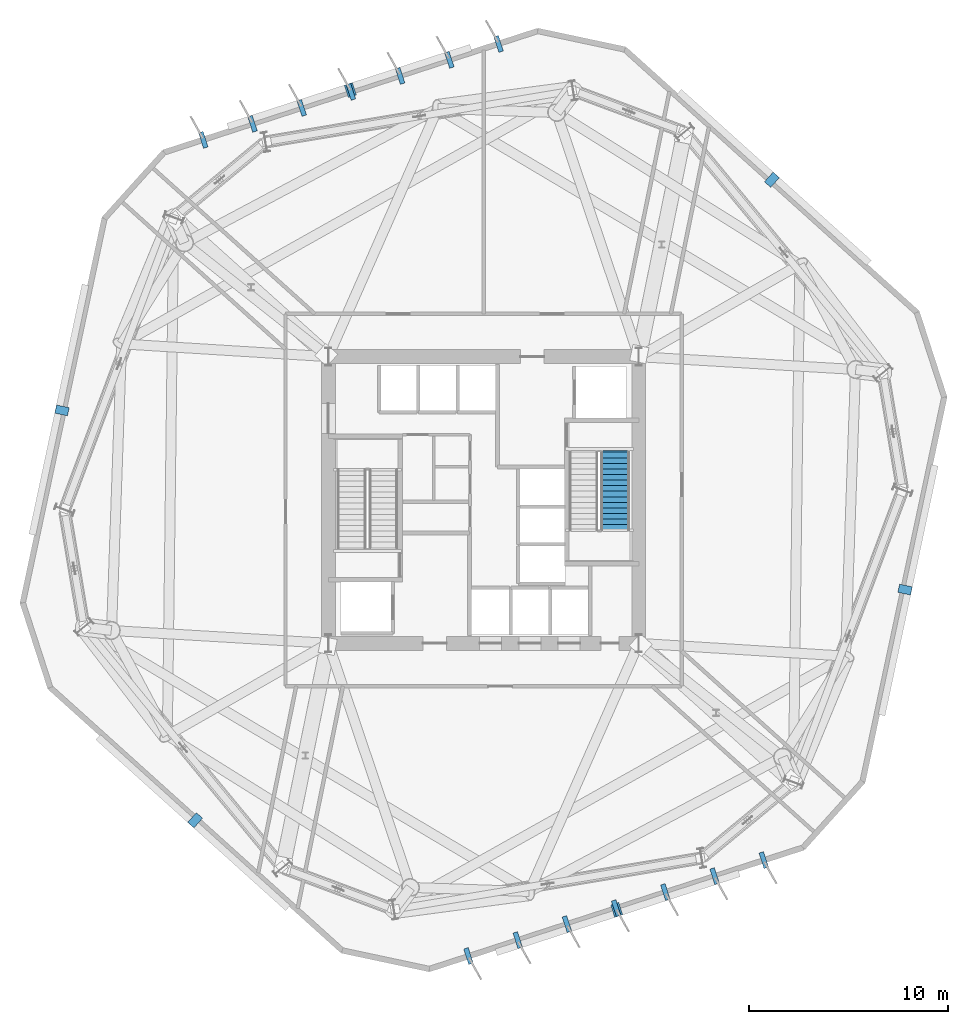
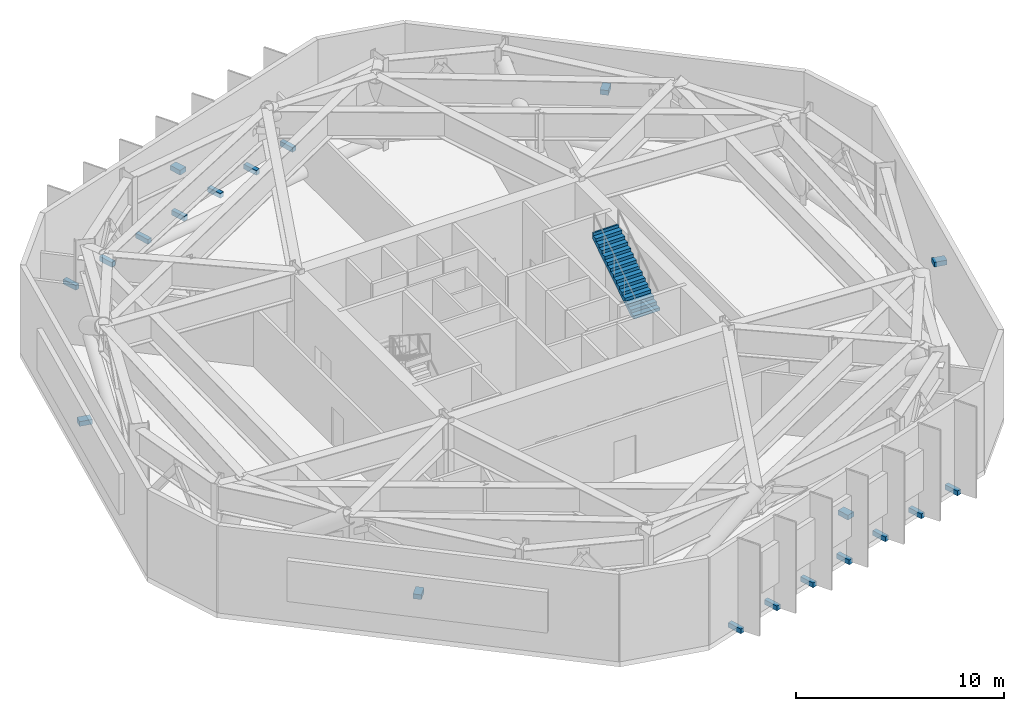
# One storey, part 9 of 12: 20 discrete accessories, 1 stair flight, 1 element without a shape of its own.
"""IFC4 building model written with IfcOpenShell, lengths in metres."""

import ifcopenshell
import ifcopenshell.guid

model = None  # the IFC model being written
_history = None  # IfcOwnerHistory: only IFC2X3 demands one
_inside = {}  # id of a spatial element -> (the spatial element, [elements in it])
_under = {}  # id of a project, library or spatial element -> (it, [spatial elements below it])
_declared = {}  # id of a project -> (the project, [libraries it declares])
_typed = {}  # id of a type object -> (the type object, [elements of that type])
_made_of = {}  # id of a material, layer set ... -> (it, [elements and type objects made of it])


def new_model(schema):
    """Start an empty IFC model of exactly this schema.

    Asked for "IFC4X3", IfcOpenShell would pick the latest addendum, in which some entities
    have other attributes; the version numbers below select the first issue.
    IFC2X3 requires an IfcOwnerHistory on every rooted entity: one is made here for all.
    """
    global model, _history
    if schema == "IFC4X3":
        model = ifcopenshell.file(schema_version=(4, 3, 0, 0))
    else:
        model = ifcopenshell.file(schema=schema)
    _inside.clear()
    _under.clear()
    _declared.clear()
    _typed.clear()
    _made_of.clear()
    _history = None
    if model.schema == "IFC2X3":
        org = make("IfcOrganization", Name="unknown")
        user = make(
            "IfcPersonAndOrganization",
            ThePerson=make("IfcPerson", FamilyName="unknown"),
            TheOrganization=org,
        )
        app = make(
            "IfcApplication",
            ApplicationDeveloper=org,
            Version="unknown",
            ApplicationFullName="unknown",
            ApplicationIdentifier="unknown",
        )
        _history = make(
            "IfcOwnerHistory",
            OwningUser=user,
            OwningApplication=app,
            ChangeAction="ADDED",
            CreationDate=0,
        )
    return model


def make(cls, **values):
    """One entity of the class cls with the attributes given. An attribute that is None is left unset."""
    return model.create_entity(
        cls, **{name: value for name, value in values.items() if value is not None}
    )


def rooted(cls, **values):
    """An entity with a GlobalId (a new one), such as an element, a storey or a relation."""
    return make(cls, GlobalId=ifcopenshell.guid.new(), OwnerHistory=_history, **values)


def si_unit(unit_type, name, prefix=None):
    """IfcSIUnit, for example si_unit("LENGTHUNIT", "METRE", prefix="MILLI")."""
    return make("IfcSIUnit", UnitType=unit_type, Prefix=prefix, Name=name)


def assignment(units):
    """IfcUnitAssignment: the units of a project."""
    return None if units is None else make("IfcUnitAssignment", Units=units)


def point(xyz):
    """IfcCartesianPoint."""
    return None if xyz is None else make("IfcCartesianPoint", Coordinates=xyz)


def direction(xyz):
    """IfcDirection."""
    return None if xyz is None else make("IfcDirection", DirectionRatios=xyz)


def frame(location, z_axis=None, x_axis=None):
    """IfcAxis2Placement3D, a coordinate frame: its origin and axes. An axis left out is left unset."""
    return make(
        "IfcAxis2Placement3D",
        Location=point(location),
        Axis=direction(z_axis),
        RefDirection=direction(x_axis),
    )


def frame_2d(location, x_axis=None):
    """IfcAxis2Placement2D, a coordinate frame in the plane: its origin and x axis."""
    return make(
        "IfcAxis2Placement2D", Location=point(location), RefDirection=direction(x_axis)
    )


def origin():
    """The frame at (0, 0, 0) with its axes left unset."""
    return frame((0.0, 0.0, 0.0))


def origin_2d():
    """The frame at (0, 0) in the plane with its x axis left unset."""
    return frame_2d((0.0, 0.0))


def place(relative_to, where):
    """IfcLocalPlacement: puts the frame where relative to a parent placement (None: the world)."""
    return make(
        "IfcLocalPlacement", PlacementRelTo=relative_to, RelativePlacement=where
    )


def context(
    kind, dimensions, precision=None, world=None, true_north=None, identifier=None
):
    """IfcGeometricRepresentationContext, for example the 3D "Model" context."""
    return make(
        "IfcGeometricRepresentationContext",
        ContextIdentifier=identifier,
        ContextType=kind,
        CoordinateSpaceDimension=dimensions,
        Precision=precision,
        WorldCoordinateSystem=world,
        TrueNorth=true_north,
    )


def subcontext(parent, identifier, kind, view, scale=None):
    """IfcGeometricRepresentationSubContext, for example "Body" below "Model"."""
    return make(
        "IfcGeometricRepresentationSubContext",
        ContextIdentifier=identifier,
        ContextType=kind,
        ParentContext=parent,
        TargetScale=scale,
        TargetView=view,
    )


def project(units=None, contexts=None):
    """IfcProject with its units and contexts."""
    return rooted(
        "IfcProject",
        Name="project",
        RepresentationContexts=contexts,
        UnitsInContext=assignment(units),
    )


def spatial(cls, under=None, at=None, **own):
    """A site, building, storey or space (cls), placed at a placement, below another one or the project."""
    s = rooted(cls, ObjectPlacement=at, **own)
    if under is not None:
        _under.setdefault(under.id(), (under, []))[1].append(s)
    return s


def polyline(points):
    """IfcPolyline through the points."""
    return make("IfcPolyline", Points=[point(p) for p in points])


def profile(cls, at=None, kind="AREA", **sizes):
    """A parametric profile (cls). Its sizes go by their IFC names, for example OverallWidth=200.0."""
    return make(cls, ProfileType=kind, Position=at, **sizes)


def rectangle(**sizes):
    """IfcRectangleProfileDef."""
    return profile("IfcRectangleProfileDef", **sizes)


def outline(outer, holes=None, kind="AREA"):
    """IfcArbitraryClosedProfileDef: a profile drawn as a closed curve; with holes, ...WithVoids."""
    if holes is None:
        return make("IfcArbitraryClosedProfileDef", ProfileType=kind, OuterCurve=outer)
    return make(
        "IfcArbitraryProfileDefWithVoids",
        ProfileType=kind,
        OuterCurve=outer,
        InnerCurves=holes,
    )


def extrude(swept, where, along, depth):
    """IfcExtrudedAreaSolid: the profile swept, set in the frame where, extruded along a direction by depth."""
    return make(
        "IfcExtrudedAreaSolid",
        SweptArea=swept,
        Position=where,
        ExtrudedDirection=direction(along),
        Depth=depth,
    )


def shape(context_of_items, identifier, shape_type, items):
    """IfcShapeRepresentation: the items that make up one representation, for example the "Body"."""
    return make(
        "IfcShapeRepresentation",
        ContextOfItems=context_of_items,
        RepresentationIdentifier=identifier,
        RepresentationType=shape_type,
        Items=items,
    )


def material(Name=None, Category=None):
    """IfcMaterial."""
    return make("IfcMaterial", Name=Name, Category=Category)


def made_of(thing, what):
    """Note that an element or type object is made of a material, layer set ...; save() writes the relation."""
    if what is not None:
        _made_of.setdefault(what.id(), (what, []))[1].append(thing)
    return thing


def type_object(cls, material=None, **own):
    """A type object (cls), such as IfcWallType, which elements share."""
    return made_of(rooted(cls, **own), material)


def element(
    cls,
    number,
    at=None,
    inside=None,
    cuts=None,
    type_object=None,
    material=None,
    context=None,
    identifier="Body",
    shape_type=None,
    held_by="IfcProductDefinitionShape",
    body=None,
    shapes=None,
    **own,
):
    """One element of the class cls, such as IfcWall. Its Tag is "e" and its number.

    at: its placement. inside: the storey or other place that contains it. cuts: it is an
    opening in that element (IfcRelVoidsElement). A single representation is given by context,
    identifier, shape_type and body (its items); several are given by shapes. held_by: the class
    of the entity that holds the representations. save() writes the other relations.
    """
    e = rooted(cls, Tag="e%d" % number, ObjectPlacement=at, **own)
    if body is not None:
        shapes = [shape(context, identifier, shape_type, body)]
    if shapes is not None:
        e.Representation = make(held_by, Representations=shapes)
    if inside is not None:
        _inside.setdefault(inside.id(), (inside, []))[1].append(e)
    if cuts is not None:
        rooted(
            "IfcRelVoidsElement", RelatingBuildingElement=cuts, RelatedOpeningElement=e
        )
    if type_object is not None:
        _typed.setdefault(type_object.id(), (type_object, []))[1].append(e)
    return made_of(e, material)


def aggregate(whole, parts):
    """IfcRelAggregates: a whole, such as a stair, and the parts it consists of."""
    return rooted("IfcRelAggregates", RelatingObject=whole, RelatedObjects=parts)


def save(model, path):
    """Write the relations noted so far, then the file.

    IfcRelAggregates (storeys below a building ...), IfcRelContainedInSpatialStructure (elements
    in a storey), IfcRelDefinesByType, IfcRelAssociatesMaterial and IfcRelDeclares: one each for
    every whole, place, type object, material and project.
    """
    for whole, parts in _under.values():
        aggregate(whole, parts)
    for where, things in _inside.values():
        rooted(
            "IfcRelContainedInSpatialStructure",
            RelatedElements=things,
            RelatingStructure=where,
        )
    for kind, things in _typed.values():
        rooted("IfcRelDefinesByType", RelatedObjects=things, RelatingType=kind)
    for what, things in _made_of.values():
        rooted("IfcRelAssociatesMaterial", RelatedObjects=things, RelatingMaterial=what)
    for by, libraries in _declared.values():
        rooted("IfcRelDeclares", RelatingContext=by, RelatedDefinitions=libraries)
    model.write(path)


model = new_model("IFC4")

# Units and contexts
model_context = context("Model", 3, precision=1e-05, world=origin(), true_north=direction((0.0, 1.0)))
body_context = subcontext(model_context, "Body", "Model", "MODEL_VIEW")
ifc_project = project(units=[si_unit("LENGTHUNIT", "METRE"), si_unit("AREAUNIT", "SQUARE_METRE"), si_unit("VOLUMEUNIT", "CUBIC_METRE"), si_unit("PLANEANGLEUNIT", "RADIAN"), si_unit("MASSUNIT", "GRAM", prefix="KILO")], contexts=[model_context])

# Site, building, storey
site_placement = place(None, origin())
site = spatial("IfcSite", under=ifc_project, at=site_placement, CompositionType="ELEMENT")
building_placement = place(site_placement, origin())
building = spatial("IfcBuilding", under=site, at=building_placement, Name="Kranzbogen Civic Tower", CompositionType="ELEMENT")
storey_placement = place(building_placement, frame((0.0, 0.0, 92.0)))
storey = spatial("IfcBuildingStorey", under=building, at=storey_placement, Name="L22", CompositionType="ELEMENT", Elevation=92.0)

# Stair, stair flight
ifc_material_1 = material(Name="Precast concrete C40/50", Category="concrete")
stair_type = type_object("IfcStairType", Name="Tower Core Secondary Dogleg Stair 1450", PredefinedType="HALF_TURN_STAIR", material=ifc_material_1)
stair_placement = place(storey_placement, origin())
stair = element("IfcStair", 1, at=stair_placement, inside=storey, type_object=stair_type, Name="L22 Tower Core Pressurized Stair 2", PredefinedType="HALF_TURN_STAIR")
stair_flight_type = type_object("IfcStairFlightType", Name="Precast Concrete Stair Flight R180", PredefinedType="STRAIGHT", material=ifc_material_1)
stair_flight_placement = place(storey_placement, frame((31.625, 23.47998046875, 2.699951171875), z_axis=(0.0, 0.0, 1.0), x_axis=(0.0, 1.0, 0.0)))
stair_flight = element("IfcStairFlight", 2, at=stair_flight_placement, type_object=stair_flight_type, Name="ST-T2 flight 2", NumberOfRisers=15, NumberOfTreads=14, PredefinedType="STRAIGHT", RiserHeight=0.18, TreadLength=0.28, context=body_context, shape_type="SweptSolid", body=[
    extrude(outline(polyline([(0.0, 0.0), (0.0, 0.179931640625), (0.280029296875, 0.179931640625), (0.280029296875, 0.360107421875), (0.56005859375, 0.360107421875), (0.56005859375, 0.5400390625), (0.840087890625, 0.5400390625), (0.840087890625, 0.719970703125), (1.1201171875, 0.719970703125), (1.1201171875, 0.89990234375), (1.39990234375, 0.89990234375), (1.39990234375, 1.080078125), (1.679931640625, 1.080078125), (1.679931640625, 1.260009765625), (1.9599609375, 1.260009765625), (1.9599609375, 1.43994140625), (2.239990234375, 1.43994140625), (2.239990234375, 1.6201171875), (2.52001953125, 1.6201171875), (2.52001953125, 1.800048828125), (2.800048828125, 1.800048828125), (2.800048828125, 1.97998046875), (3.080078125, 1.97998046875), (3.080078125, 2.159912109375), (3.360107421875, 2.159912109375), (3.360107421875, 2.340087890625), (3.639892578125, 2.340087890625), (3.639892578125, 2.52001953125), (3.919921875, 2.52001953125), (3.919921875, 2.699951171875), (4.0, 2.699951171875), (4.0, 2.341796875), (0.277099609375, 0.0), (0.0, 0.0)])), frame((0.0, 0.72509765625, 0.0), z_axis=(0.0, -1.0, 0.0), x_axis=(1.0, 0.0, 0.0)), (0.0, 0.0, 1.0), 1.449951171875),
])
aggregate(stair, [stair_flight])

# Discrete accessories
ifc_material_2 = material(Name="Steel S355", Category="steel")
discrete_accessory_type = type_object("IfcDiscreteAccessoryType", Name="Structural Curtain-Wall Fin Support Bracket", PredefinedType="BRACKET", material=ifc_material_2)
for number, where, z_axis, x_axis, name in (
    (3, (39.489013671875, 41.090087890625, 2.43017578125), (0.0, 0.0, 1.0), (0.669130606359, 0.743144825477, 0.0), "L22 louvre mounting bracket 1"),
    (4, (18.30908203125, 45.593017578125, 2.43017578125), (0.0, 0.0, 1.0), (-0.309016994375, 0.951056516295, 0.0), "L22 louvre mounting bracket 2"),
):
    element("IfcDiscreteAccessory", number, at=place(storey_placement, frame(where, z_axis=z_axis, x_axis=x_axis)), inside=storey, type_object=discrete_accessory_type, Name=name, PredefinedType="BRACKET", context=body_context, shape_type="SweptSolid", body=[
        extrude(rectangle(XDim=0.64990234375, YDim=0.419921875, at=origin_2d()), origin(), (0.0, 0.0, 1.0), 0.280029296875),
    ])
for number, where, z_axis, x_axis, name in (
    (5, (25.756103515625, 47.9150390625, -0.25), (0.0, 0.0, 1.0), (-0.309016994375, 0.951056516295, 0.0), "L22 facade fin support bracket F2-1"),
    (6, (23.282958984375, 47.112060546875, -0.25), (0.0, 0.0, 1.0), (-0.309016994375, 0.951056516295, 0.0), "L22 facade fin support bracket F2-2"),
    (7, (20.81005859375, 46.30810546875, -0.25), (0.0, 0.0, 1.0), (-0.309016994375, 0.951056516295, 0.0), "L22 facade fin support bracket F2-3"),
    (8, (18.337890625, 45.5048828125, -0.25), (0.0, 0.0, 1.0), (-0.309016994375, 0.951056516295, 0.0), "L22 facade fin support bracket F2-4"),
    (9, (15.864990234375, 44.700927734375, -0.25), (0.0, 0.0, 1.0), (-0.309016994375, 0.951056516295, 0.0), "L22 facade fin support bracket F2-5"),
    (10, (13.39208984375, 43.89794921875, -0.25), (0.0, 0.0, 1.0), (-0.309016994375, 0.951056516295, 0.0), "L22 facade fin support bracket F2-6"),
    (11, (10.919921875, 43.093994140625, -0.25), (0.0, 0.0, 1.0), (-0.309016994375, 0.951056516295, 0.0), "L22 facade fin support bracket F2-7"),
):
    element("IfcDiscreteAccessory", number, at=place(storey_placement, frame(where, z_axis=z_axis, x_axis=x_axis)), inside=storey, type_object=discrete_accessory_type, Name=name, PredefinedType="BRACKET", context=body_context, shape_type="SweptSolid", body=[
        extrude(rectangle(XDim=0.820068359375, YDim=0.239990234375, at=origin_2d()), origin(), (0.0, 0.0, 1.0), 0.280029296875),
    ])
for number, where, z_axis, x_axis, name in (
    (12, (3.821044921875, 29.501953125, 2.43017578125), (0.0, 0.0, 1.0), (-0.978147600734, 0.207911690818, 0.0), "L22 louvre mounting bracket 3"),
    (13, (10.510986328125, 8.909912109375, 2.43017578125), (0.0, 0.0, 1.0), (-0.669130606359, -0.743144825477, 0.0), "L22 louvre mounting bracket 4"),
    (14, (31.69091796875, 4.406982421875, 2.43017578125), (0.0, 0.0, 1.0), (0.309016994375, -0.951056516295, 0.0), "L22 louvre mounting bracket 5"),
):
    element("IfcDiscreteAccessory", number, at=place(storey_placement, frame(where, z_axis=z_axis, x_axis=x_axis)), inside=storey, type_object=discrete_accessory_type, Name=name, PredefinedType="BRACKET", context=body_context, shape_type="SweptSolid", body=[
        extrude(rectangle(XDim=0.64990234375, YDim=0.419921875, at=origin_2d()), origin(), (0.0, 0.0, 1.0), 0.280029296875),
    ])
for number, where, z_axis, x_axis, name in (
    (15, (24.243896484375, 2.0849609375, -0.25), (0.0, 0.0, 1.0), (0.309016994375, -0.951056516295, 0.0), "L22 facade fin support bracket F5-1"),
    (16, (26.717041015625, 2.887939453125, -0.25), (0.0, 0.0, 1.0), (0.309016994375, -0.951056516295, 0.0), "L22 facade fin support bracket F5-2"),
    (17, (29.18994140625, 3.69189453125, -0.25), (0.0, 0.0, 1.0), (0.309016994375, -0.951056516295, 0.0), "L22 facade fin support bracket F5-3"),
    (18, (31.662109375, 4.4951171875, -0.25), (0.0, 0.0, 1.0), (0.309016994375, -0.951056516295, 0.0), "L22 facade fin support bracket F5-4"),
    (19, (34.135009765625, 5.299072265625, -0.25), (0.0, 0.0, 1.0), (0.309016994375, -0.951056516295, 0.0), "L22 facade fin support bracket F5-5"),
    (20, (36.60791015625, 6.10205078125, -0.25), (0.0, 0.0, 1.0), (0.309016994375, -0.951056516295, 0.0), "L22 facade fin support bracket F5-6"),
    (21, (39.080078125, 6.906005859375, -0.25), (0.0, 0.0, 1.0), (0.309016994375, -0.951056516295, 0.0), "L22 facade fin support bracket F5-7"),
):
    element("IfcDiscreteAccessory", number, at=place(storey_placement, frame(where, z_axis=z_axis, x_axis=x_axis)), inside=storey, type_object=discrete_accessory_type, Name=name, PredefinedType="BRACKET", context=body_context, shape_type="SweptSolid", body=[
        extrude(rectangle(XDim=0.820068359375, YDim=0.239990234375, at=origin_2d()), origin(), (0.0, 0.0, 1.0), 0.280029296875),
    ])
discrete_accessory_placement = place(storey_placement, frame((46.178955078125, 20.498046875, 2.43017578125), z_axis=(0.0, 0.0, 1.0), x_axis=(0.978147600734, -0.207911690818, 0.0)))
element("IfcDiscreteAccessory", 22, at=discrete_accessory_placement, inside=storey, type_object=discrete_accessory_type, Name="L22 louvre mounting bracket 6", PredefinedType="BRACKET", context=body_context, shape_type="SweptSolid", body=[
    extrude(rectangle(XDim=0.64990234375, YDim=0.419921875, at=origin_2d()), origin(), (0.0, 0.0, 1.0), 0.280029296875),
])

save(model, "model.ifc")
